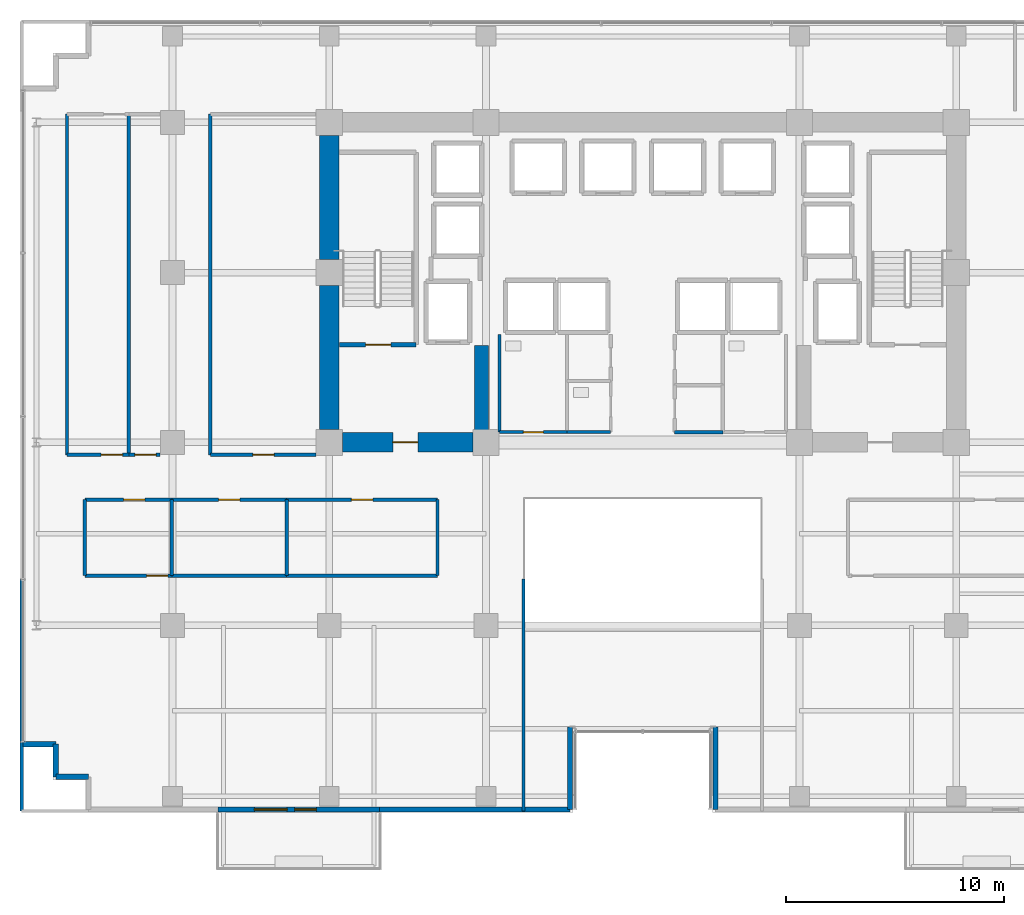
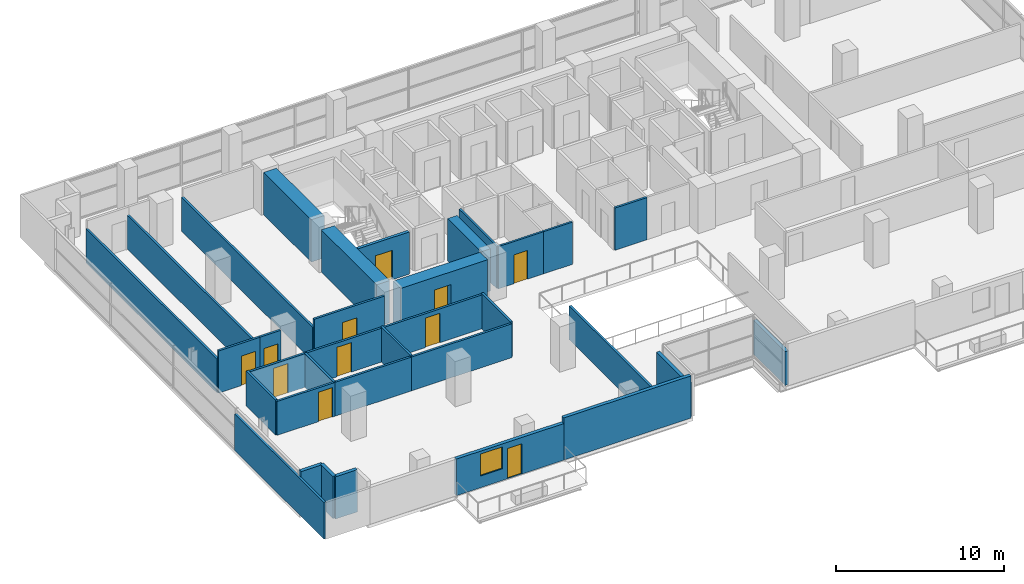
# One storey, part 19 of 26: 34 walls, 11 doors, 1 window, 12 openings.
"""IFC4 building model written with IfcOpenShell, lengths in metres."""

from ifc_helpers import new_model, si_unit, direction, frame, frame_2d, origin, place, context, subcontext, project, spatial, rectangle, extrude, source, transform, mapped, material, layer, layer_set, type_object, element, fill, save


model = new_model("IFC4")

# Units and contexts
model_context = context("Model", 3, precision=1e-05, world=origin(), true_north=direction((0.0, 1.0)))
body_context = subcontext(model_context, "Body", "Model", "MODEL_VIEW")
ifc_project = project(units=[si_unit("LENGTHUNIT", "METRE"), si_unit("AREAUNIT", "SQUARE_METRE"), si_unit("VOLUMEUNIT", "CUBIC_METRE"), si_unit("PLANEANGLEUNIT", "RADIAN"), si_unit("MASSUNIT", "GRAM", prefix="KILO")], contexts=[model_context])

# Site, building, storey
site_placement = place(None, origin())
site = spatial("IfcSite", under=ifc_project, at=site_placement, CompositionType="ELEMENT")
building_placement = place(site_placement, origin())
building = spatial("IfcBuilding", under=site, at=building_placement, Name="Zarnakvel Exchange Tower", CompositionType="ELEMENT")
storey_placement = place(building_placement, frame((0.0, 0.0, 63.699951171875)))
storey = spatial("IfcBuildingStorey", under=building, at=storey_placement, Name="L17", CompositionType="ELEMENT", Elevation=63.699951171875)

# Walls
ifc_material_1 = material(Name="Concrete C80/95", Category="concrete")
ifc_layer_1 = layer(ifc_material_1, 0.89990234375)
ifc_layer_set_1 = layer_set([ifc_layer_1], Name="Concrete C80/95")
wall_type_1 = type_object("IfcWallType", Name="CW-C1", PredefinedType="SHEAR", material=ifc_layer_set_1)
wall_1_placement = place(storey_placement, frame((-14.39990234375, -0.60009765625, 0.0), z_axis=(0.0, 0.0, 1.0), x_axis=(0.0, 1.0, 0.0)))
element("IfcWall", 1, at=wall_1_placement, inside=storey, type_object=wall_type_1, Name="L17 Rear Core Shear Wall W1 (CW-C1)", PredefinedType="SHEAR", context=body_context, shape_type="SweptSolid", body=[
    extrude(rectangle(XDim=6.60009765625, YDim=0.89990234375, at=frame_2d((3.300048828125, 0.0))), origin(), (0.0, 0.0, 1.0), 3.074951171875),
])
wall_2_placement = place(storey_placement, frame((-14.39990234375, 7.199951171875, 0.0), z_axis=(0.0, 0.0, 1.0), x_axis=(0.0, 1.0, 0.0)))
element("IfcWall", 2, at=wall_2_placement, inside=storey, type_object=wall_type_1, Name="L17 Rear Core Shear Wall W2 (CW-C1)", PredefinedType="SHEAR", context=body_context, shape_type="SweptSolid", body=[
    extrude(rectangle(XDim=5.699951171875, YDim=0.89990234375, at=frame_2d((2.85009765625, 0.0))), origin(), (0.0, 0.0, 1.0), 3.074951171875),
])

# Wall, opening, door
wall_3_placement = place(storey_placement, frame((-7.800048828125, -1.199951171875, 0.0), z_axis=(0.0, 0.0, 1.0), x_axis=(-1.0, 0.0, 0.0)))
wall_3 = element("IfcWall", 3, at=wall_3_placement, inside=storey, type_object=wall_type_1, Name="L17 Rear Core Shear Wall SW (CW-C1)", PredefinedType="SHEAR", context=body_context, shape_type="SweptSolid", body=[
    extrude(rectangle(XDim=6.0, YDim=0.89990234375, at=frame_2d((3.0, 0.0))), origin(), (0.0, 0.0, 1.0), 3.074951171875),
])
opening_1_placement = place(wall_3_placement, frame((2.52490234375, 0.0, 0.0)))
opening_1 = element("IfcOpeningElement", 4, at=opening_1_placement, cuts=wall_3, Name="Opening D-L17-03", PredefinedType="OPENING", context=body_context, shape_type="SweptSolid", body=[
    extrude(rectangle(XDim=1.14990234375, YDim=2.14990234375, at=frame_2d((0.574951171875, 1.074951171875))), frame((0.0, 0.4599609375, 0.0), z_axis=(0.0, -1.0, 0.0), x_axis=(1.0, 0.0, 0.0)), (0.0, 0.0, 1.0), 0.919921875),
])
ifc_material_2 = material(Name="Painted Galvanised Steel S355", Category="steel")
door_type_1 = type_object("IfcDoorType", Name="DT-04", OperationType="NOTDEFINED", PredefinedType="DOOR", material=ifc_material_2)
shared_shape_1 = source(origin(), body_context, "Body", "SweptSolid", [
    extrude(rectangle(XDim=1.14990234375, YDim=2.14990234375, at=frame_2d((0.574951171875, 1.074951171875))), frame((0.0, 0.02490234375, 0.0), z_axis=(0.0, -1.0, 0.0), x_axis=(1.0, 0.0, 0.0)), (0.0, 0.0, 1.0), 0.050048828125),
])
door_1_placement = place(opening_1_placement, origin())
door_1 = element("IfcDoor", 5, at=door_1_placement, inside=storey, type_object=door_type_1, Name="L17 Firefighting Lobby West Door D-L17-03", OperationType="SINGLE_SWING_LEFT", OverallHeight=2.14990234375, OverallWidth=1.14990234375, PredefinedType="DOOR", context=body_context, shape_type="MappedRepresentation", body=[
    mapped(shared_shape_1, transform((0.0, 0.0, 0.0), x_axis=(1.0, 0.0, 0.0), y_axis=(0.0, 1.0, 0.0), z_axis=(0.0, 0.0, 1.0), scale=1.0)),
])
fill(opening_1, door_1)

# Wall
ifc_layer_2 = layer(ifc_material_1, 0.64990234375)
ifc_layer_set_2 = layer_set([ifc_layer_2], Name="Concrete C80/95")
wall_type_2 = type_object("IfcWallType", Name="CW-C2", PredefinedType="SHEAR", material=ifc_layer_set_2)
wall_4_placement = place(storey_placement, frame((-7.39990234375, -0.75, 0.0), z_axis=(0.0, 0.0, 1.0), x_axis=(0.0, 1.0, 0.0)))
element("IfcWall", 6, at=wall_4_placement, inside=storey, type_object=wall_type_2, Name="L17 Rear Core Shear Wall IW (CW-C2)", PredefinedType="SHEAR", context=body_context, shape_type="SweptSolid", body=[
    extrude(rectangle(XDim=4.0, YDim=0.64990234375, at=frame_2d((2.0, 0.0))), origin(), (0.0, 0.0, 1.0), 3.074951171875),
])

# Wall, openings, door, window
ifc_material_3 = material(Name="Precast concrete C40/50", Category="concrete")
ifc_layer_3 = layer(ifc_material_3, 0.239990234375)
ifc_layer_set_3 = layer_set([ifc_layer_3], Name="Precast concrete C40/50")
wall_type_3 = type_object("IfcWallType", Name="EW-02", PredefinedType="SOLIDWALL", material=ifc_layer_set_3)
wall_5_placement = place(storey_placement, frame((-12.10009765625, -18.06005859375, 0.0), z_axis=(0.0, 0.0, 1.0), x_axis=(-1.0, 0.0, 0.0)))
wall_5 = element("IfcWall", 7, at=wall_5_placement, inside=storey, type_object=wall_type_3, Name="L17 Exterior Precast Spandrel Wall EW-BAL-L17-SW (EW-02)", PredefinedType="SOLIDWALL", context=body_context, shape_type="SweptSolid", body=[
    extrude(rectangle(XDim=7.39990234375, YDim=0.239990234375, at=frame_2d((3.699951171875, 0.0))), origin(), (0.0, 0.0, 1.0), 2.6650390625),
])
opening_2_placement = place(wall_5_placement, frame((2.885986328125, 0.0, 0.0)))
opening_2 = element("IfcOpeningElement", 8, at=opening_2_placement, cuts=wall_5, Name="Opening BD-L17-01", PredefinedType="OPENING", context=body_context, shape_type="SweptSolid", body=[
    extrude(rectangle(XDim=1.0, YDim=2.199951171875, at=frame_2d((0.5, 1.10009765625))), frame((0.0, 0.1298828125, 0.0), z_axis=(0.0, -1.0, 0.0), x_axis=(1.0, 0.0, 0.0)), (0.0, 0.0, 1.0), 0.260009765625),
])
opening_3_placement = place(wall_5_placement, frame((4.236083984375, 0.0, 0.85009765625)))
opening_3 = element("IfcOpeningElement", 9, at=opening_3_placement, cuts=wall_5, Name="Opening WN-03", PredefinedType="OPENING", context=body_context, shape_type="SweptSolid", body=[
    extrude(rectangle(XDim=1.5, YDim=1.60009765625, at=frame_2d((0.75, 0.800048828125))), frame((0.0, 0.1298828125, 0.0), z_axis=(0.0, -1.0, 0.0), x_axis=(1.0, 0.0, 0.0)), (0.0, 0.0, 1.0), 0.260009765625),
])
ifc_material_4 = material(Name="Architectural Bronze Anodised Aluminium", Category="aluminium")
door_type_2 = type_object("IfcDoorType", Name="DT-09", OperationType="NOTDEFINED", PredefinedType="DOOR", material=ifc_material_4)
shared_shape_2 = source(origin(), body_context, "Body", "SweptSolid", [
    extrude(rectangle(XDim=1.0, YDim=2.199951171875, at=frame_2d((0.5, 1.10009765625))), frame((0.0, 0.02490234375, 0.0), z_axis=(0.0, -1.0, 0.0), x_axis=(1.0, 0.0, 0.0)), (0.0, 0.0, 1.0), 0.050048828125),
])
door_2_placement = place(opening_2_placement, origin())
door_2 = element("IfcDoor", 10, at=door_2_placement, inside=storey, type_object=door_type_2, Name="L17 Planted Loggia Balcony Door BD-L17-01", OperationType="SINGLE_SWING_LEFT", OverallHeight=2.199951171875, OverallWidth=1.0, PredefinedType="DOOR", context=body_context, shape_type="MappedRepresentation", body=[
    mapped(shared_shape_2, transform((0.0, 0.0, 0.0), x_axis=(1.0, 0.0, 0.0), y_axis=(0.0, 1.0, 0.0), z_axis=(0.0, 0.0, 1.0), scale=1.0)),
])
fill(opening_2, door_2)
ifc_material_5 = material(Name="Double Low-E Laminated Vision Glass", Category="glass")
window_type = type_object("IfcWindowType", Name="WN-03", PartitioningType="SINGLE_PANEL", PredefinedType="WINDOW", material=ifc_material_5)
shared_shape_3 = source(origin(), body_context, "Body", "SweptSolid", [
    extrude(rectangle(XDim=1.5, YDim=1.60009765625, at=frame_2d((0.75, 0.800048828125))), frame((0.0, 0.030029296875, 0.0), z_axis=(0.0, -1.0, 0.0), x_axis=(1.0, 0.0, 0.0)), (0.0, 0.0, 1.0), 0.06005859375),
])
window_placement = place(opening_3_placement, origin())
window = element("IfcWindow", 11, at=window_placement, inside=storey, type_object=window_type, Name="L17 Loggia Daylight Window (WN-03)", OverallHeight=1.60009765625, OverallWidth=1.5, PartitioningType="SINGLE_PANEL", PredefinedType="WINDOW", context=body_context, shape_type="MappedRepresentation", body=[
    mapped(shared_shape_3, transform((0.0, 0.0, 0.0), x_axis=(1.0, 0.0, 0.0), y_axis=(0.0, 1.0, 0.0), z_axis=(0.0, 0.0, 1.0), scale=1.0)),
])
fill(opening_3, window)

# Walls
for number, where, z_axis, x_axis, name in (
    (12, (3.340087890625, -14.260009765625, 0.0), (0.0, 0.0, 1.0), (0.0, -1.0, 0.0), "L17 Exterior Precast Spandrel Wall EWC-L17-17 (EW-02)"),
    (13, (-3.340087890625, -18.06005859375, 0.0), (0.0, 0.0, 1.0), (0.0, 1.0, 0.0), "L17 Exterior Precast Spandrel Wall EWC-L17-20 (EW-02)"),
):
    element("IfcWall", number, at=place(storey_placement, frame(where, z_axis=z_axis, x_axis=x_axis)), inside=storey, type_object=wall_type_3, Name=name, PredefinedType="SOLIDWALL", context=body_context, shape_type="SweptSolid", body=[
        extrude(rectangle(XDim=3.800048828125, YDim=0.239990234375, at=frame_2d((1.89990234375, 0.0))), origin(), (0.0, 0.0, 1.0), 2.465087890625),
    ])
wall_6_placement = place(storey_placement, frame((-12.10009765625, -18.06005859375, 0.0), z_axis=(0.0, 0.0, 1.0), x_axis=(1.0, 0.0, 0.0)))
element("IfcWall", 14, at=wall_6_placement, inside=storey, type_object=wall_type_3, Name="L17 Exterior Precast Spandrel Wall EWC-L17-21 (EW-02)", PredefinedType="SOLIDWALL", context=body_context, shape_type="SweptSolid", body=[
    extrude(rectangle(XDim=8.760009765625, YDim=0.239990234375, at=frame_2d((4.3798828125, 0.0))), origin(), (0.0, 0.0, 1.0), 3.074951171875),
])
for number, where, z_axis, x_axis, name in (
    (15, (-26.9599609375, -16.56005859375, 0.0), (0.0, 0.0, 1.0), (1.0, 0.0, 0.0), "L17 Exterior Precast Spandrel Wall EWC-L17-24 (EW-02)"),
    (16, (-26.9599609375, -15.06005859375, 0.0), (0.0, 0.0, 1.0), (0.0, -1.0, 0.0), "L17 Exterior Precast Spandrel Wall EWC-L17-25 (EW-02)"),
    (17, (-28.4599609375, -15.06005859375, 0.0), (0.0, 0.0, 1.0), (1.0, 0.0, 0.0), "L17 Exterior Precast Spandrel Wall EWC-L17-26 (EW-02)"),
):
    element("IfcWall", number, at=place(storey_placement, frame(where, z_axis=z_axis, x_axis=x_axis)), inside=storey, type_object=wall_type_3, Name=name, PredefinedType="SOLIDWALL", context=body_context, shape_type="SweptSolid", body=[
        extrude(rectangle(XDim=1.5, YDim=0.239990234375, at=frame_2d((0.75, 0.0))), origin(), (0.0, 0.0, 1.0), 3.074951171875),
    ])
ifc_material_6 = material(Name="Fire-Rated Gypsum Stud Partition", Category="gypsum")
ifc_layer_4 = layer(ifc_material_6, 0.14990234375)
ifc_layer_set_4 = layer_set([ifc_layer_4], Name="Fire-Rated Gypsum Stud Partition")
wall_type_4 = type_object("IfcWallType", Name="PT-01", PredefinedType="PARTITIONING", material=ifc_layer_set_4)
wall_7_placement = place(storey_placement, frame((3.679931640625, -0.72998046875, 0.0), z_axis=(0.0, 0.0, 1.0), x_axis=(-1.0, 0.0, 0.0)))
element("IfcWall", 18, at=wall_7_placement, inside=storey, type_object=wall_type_4, Name="L17 Partition Wall PWALL-L17-018 (PT-01)", PredefinedType="PARTITIONING", context=body_context, shape_type="SweptSolid", body=[
    extrude(rectangle(XDim=2.2099609375, YDim=0.14990234375, at=frame_2d((1.10498046875, 0.0))), origin(), (0.0, 0.0, 1.0), 3.074951171875),
])

# Wall, opening, door
wall_8_placement = place(storey_placement, frame((-21.630126953125, -7.320068359375, 0.0), z_axis=(0.0, 0.0, 1.0), x_axis=(-1.0, 0.0, 0.0)))
wall_8 = element("IfcWall", 19, at=wall_8_placement, inside=storey, type_object=wall_type_4, Name="L17 Partition Wall PWALL-L17-026 (PT-01)", PredefinedType="PARTITIONING", context=body_context, shape_type="SweptSolid", body=[
    extrude(rectangle(XDim=3.998291015625, YDim=0.14990234375, at=frame_2d((1.9990234375, 0.0))), origin(), (0.0, 0.0, 1.0), 2.465087890625),
])
opening_4_placement = place(wall_8_placement, frame((0.179931640625, 0.0, 0.0)))
opening_4 = element("IfcOpeningElement", 20, at=opening_4_placement, cuts=wall_8, Name="Opening D-L17-14", PredefinedType="OPENING", context=body_context, shape_type="SweptSolid", body=[
    extrude(rectangle(XDim=0.97998046875, YDim=2.14990234375, at=frame_2d((0.489990234375, 1.074951171875))), frame((0.0, 0.0849609375, 0.0), z_axis=(0.0, -1.0, 0.0), x_axis=(1.0, 0.0, 0.0)), (0.0, 0.0, 1.0), 0.169921875),
])
ifc_material_7 = material(Name="Timber Acoustic Veneer", Category="wood")
door_type_3 = type_object("IfcDoorType", Name="DT-05", OperationType="NOTDEFINED", PredefinedType="DOOR", material=ifc_material_7)
shared_shape_4 = source(origin(), body_context, "Body", "SweptSolid", [
    extrude(rectangle(XDim=0.97998046875, YDim=2.14990234375, at=frame_2d((0.489990234375, 1.074951171875))), frame((0.0, 0.02490234375, 0.0), z_axis=(0.0, -1.0, 0.0), x_axis=(1.0, 0.0, 0.0)), (0.0, 0.0, 1.0), 0.050048828125),
])
door_3_placement = place(opening_4_placement, origin())
door_3 = element("IfcDoor", 21, at=door_3_placement, inside=storey, type_object=door_type_3, Name="L17 Equities Trading Floor Door D-L17-14", OperationType="SINGLE_SWING_RIGHT", OverallHeight=2.14990234375, OverallWidth=0.97998046875, PredefinedType="DOOR", context=body_context, shape_type="MappedRepresentation", body=[
    mapped(shared_shape_4, transform((0.0, 0.0, 0.0), x_axis=(1.0, 0.0, 0.0), y_axis=(0.0, 1.0, 0.0), z_axis=(0.0, 0.0, 1.0), scale=1.0)),
])
fill(opening_4, door_3)

wall_9_placement = place(storey_placement, frame((-25.62841796875, -3.830078125, 0.0), z_axis=(0.0, 0.0, 1.0), x_axis=(1.0, 0.0, 0.0)))
wall_9 = element("IfcWall", 22, at=wall_9_placement, inside=storey, type_object=wall_type_4, Name="L17 Partition Wall PWALL-L17-027 (PT-01)", PredefinedType="PARTITIONING", context=body_context, shape_type="SweptSolid", body=[
    extrude(rectangle(XDim=3.998291015625, YDim=0.14990234375, at=frame_2d((1.9990234375, 0.0))), origin(), (0.0, 0.0, 1.0), 2.465087890625),
])
opening_5_placement = place(wall_9_placement, frame((1.783447265625, 0.0, 0.0)))
opening_5 = element("IfcOpeningElement", 23, at=opening_5_placement, cuts=wall_9, Name="Opening D-L17-11", PredefinedType="OPENING", context=body_context, shape_type="SweptSolid", body=[
    extrude(rectangle(XDim=0.97998046875, YDim=2.14990234375, at=frame_2d((0.489990234375, 1.074951171875))), frame((0.0, 0.0849609375, 0.0), z_axis=(0.0, -1.0, 0.0), x_axis=(1.0, 0.0, 0.0)), (0.0, 0.0, 1.0), 0.169921875),
])
door_4_placement = place(opening_5_placement, origin())
door_4 = element("IfcDoor", 24, at=door_4_placement, inside=storey, type_object=door_type_3, Name="L17 Asset Management Office Door D-L17-11", OperationType="SINGLE_SWING_LEFT", OverallHeight=2.14990234375, OverallWidth=0.97998046875, PredefinedType="DOOR", context=body_context, shape_type="MappedRepresentation", body=[
    mapped(shared_shape_4, transform((0.0, 0.0, 0.0), x_axis=(1.0, 0.0, 0.0), y_axis=(0.0, 1.0, 0.0), z_axis=(0.0, 0.0, 1.0), scale=1.0)),
])
fill(opening_5, door_4)

# Walls
wall_10_placement = place(storey_placement, frame((-25.62841796875, -7.320068359375, 0.0), z_axis=(0.0, 0.0, 1.0), x_axis=(0.0, 1.0, 0.0)))
element("IfcWall", 25, at=wall_10_placement, inside=storey, type_object=wall_type_4, Name="L17 Partition Wall PWALL-L17-028 (PT-01)", PredefinedType="PARTITIONING", context=body_context, shape_type="SweptSolid", body=[
    extrude(rectangle(XDim=3.489990234375, YDim=0.14990234375, at=frame_2d((1.7451171875, 0.0))), origin(), (0.0, 0.0, 1.0), 2.56494140625),
])
wall_11_placement = place(storey_placement, frame((-21.630126953125, -3.830078125, 0.0), z_axis=(0.0, 0.0, 1.0), x_axis=(0.0, -1.0, 0.0)))
element("IfcWall", 26, at=wall_11_placement, inside=storey, type_object=wall_type_4, Name="L17 Partition Wall PWALL-L17-029 (PT-01)", PredefinedType="PARTITIONING", context=body_context, shape_type="SweptSolid", body=[
    extrude(rectangle(XDim=3.489990234375, YDim=0.14990234375, at=frame_2d((1.7451171875, 0.0))), origin(), (0.0, 0.0, 1.0), 2.465087890625),
])
wall_12_placement = place(storey_placement, frame((-16.3525390625, -7.320068359375, 0.0), z_axis=(0.0, 0.0, 1.0), x_axis=(-1.0, 0.0, 0.0)))
element("IfcWall", 27, at=wall_12_placement, inside=storey, type_object=wall_type_4, Name="L17 Partition Wall PWALL-L17-030 (PT-01)", PredefinedType="PARTITIONING", context=body_context, shape_type="SweptSolid", body=[
    extrude(rectangle(XDim=5.277587890625, YDim=0.14990234375, at=frame_2d((2.638671875, 0.0))), origin(), (0.0, 0.0, 1.0), 2.465087890625),
])

# Wall, opening, door
wall_13_placement = place(storey_placement, frame((-21.630126953125, -3.830078125, 0.0), z_axis=(0.0, 0.0, 1.0), x_axis=(1.0, 0.0, 0.0)))
wall_13 = element("IfcWall", 28, at=wall_13_placement, inside=storey, type_object=wall_type_4, Name="L17 Partition Wall PWALL-L17-031 (PT-01)", PredefinedType="PARTITIONING", context=body_context, shape_type="SweptSolid", body=[
    extrude(rectangle(XDim=5.277587890625, YDim=0.14990234375, at=frame_2d((2.638671875, 0.0))), origin(), (0.0, 0.0, 1.0), 2.465087890625),
])
opening_6_placement = place(wall_13_placement, frame((2.149169921875, 0.0, 0.0)))
opening_6 = element("IfcOpeningElement", 29, at=opening_6_placement, cuts=wall_13, Name="Opening D-L17-12", PredefinedType="OPENING", context=body_context, shape_type="SweptSolid", body=[
    extrude(rectangle(XDim=0.97998046875, YDim=2.14990234375, at=frame_2d((0.489990234375, 1.074951171875))), frame((0.0, 0.0849609375, 0.0), z_axis=(0.0, -1.0, 0.0), x_axis=(1.0, 0.0, 0.0)), (0.0, 0.0, 1.0), 0.169921875),
])
door_5_placement = place(opening_6_placement, origin())
door_5 = element("IfcDoor", 30, at=door_5_placement, inside=storey, type_object=door_type_3, Name="L17 Meeting Room Door D-L17-12", OperationType="SINGLE_SWING_RIGHT", OverallHeight=2.14990234375, OverallWidth=0.97998046875, PredefinedType="DOOR", context=body_context, shape_type="MappedRepresentation", body=[
    mapped(shared_shape_4, transform((0.0, 0.0, 0.0), x_axis=(1.0, 0.0, 0.0), y_axis=(0.0, 1.0, 0.0), z_axis=(0.0, 0.0, 1.0), scale=1.0)),
])
fill(opening_6, door_5)

# Walls
wall_14_placement = place(storey_placement, frame((-16.3525390625, -3.830078125, 0.0), z_axis=(0.0, 0.0, 1.0), x_axis=(0.0, -1.0, 0.0)))
element("IfcWall", 31, at=wall_14_placement, inside=storey, type_object=wall_type_4, Name="L17 Partition Wall PWALL-L17-032 (PT-01)", PredefinedType="PARTITIONING", context=body_context, shape_type="SweptSolid", body=[
    extrude(rectangle(XDim=3.489990234375, YDim=0.14990234375, at=frame_2d((1.7451171875, 0.0))), origin(), (0.0, 0.0, 1.0), 2.56494140625),
])
wall_15_placement = place(storey_placement, frame((-9.429931640625, -7.320068359375, 0.0), z_axis=(0.0, 0.0, 1.0), x_axis=(-1.0, 0.0, 0.0)))
element("IfcWall", 32, at=wall_15_placement, inside=storey, type_object=wall_type_4, Name="L17 Partition Wall PWALL-L17-033 (PT-01)", PredefinedType="PARTITIONING", context=body_context, shape_type="SweptSolid", body=[
    extrude(rectangle(XDim=6.922607421875, YDim=0.14990234375, at=frame_2d((3.46142578125, 0.0))), origin(), (0.0, 0.0, 1.0), 2.465087890625),
])

# Wall, opening, door
wall_16_placement = place(storey_placement, frame((-16.3525390625, -3.830078125, 0.0), z_axis=(0.0, 0.0, 1.0), x_axis=(1.0, 0.0, 0.0)))
wall_16 = element("IfcWall", 33, at=wall_16_placement, inside=storey, type_object=wall_type_4, Name="L17 Partition Wall PWALL-L17-034 (PT-01)", PredefinedType="PARTITIONING", context=body_context, shape_type="SweptSolid", body=[
    extrude(rectangle(XDim=6.922607421875, YDim=0.14990234375, at=frame_2d((3.46142578125, 0.0))), origin(), (0.0, 0.0, 1.0), 2.465087890625),
])
opening_7_placement = place(wall_16_placement, frame((2.9716796875, 0.0, 0.0)))
opening_7 = element("IfcOpeningElement", 34, at=opening_7_placement, cuts=wall_16, Name="Opening D-L17-13", PredefinedType="OPENING", context=body_context, shape_type="SweptSolid", body=[
    extrude(rectangle(XDim=0.97998046875, YDim=2.14990234375, at=frame_2d((0.489990234375, 1.074951171875))), frame((0.0, 0.0849609375, 0.0), z_axis=(0.0, -1.0, 0.0), x_axis=(1.0, 0.0, 0.0)), (0.0, 0.0, 1.0), 0.169921875),
])
door_6_placement = place(opening_7_placement, origin())
door_6 = element("IfcDoor", 35, at=door_6_placement, inside=storey, type_object=door_type_3, Name="L17 Executive Office Door D-L17-13", OperationType="SINGLE_SWING_LEFT", OverallHeight=2.14990234375, OverallWidth=0.97998046875, PredefinedType="DOOR", context=body_context, shape_type="MappedRepresentation", body=[
    mapped(shared_shape_4, transform((0.0, 0.0, 0.0), x_axis=(1.0, 0.0, 0.0), y_axis=(0.0, 1.0, 0.0), z_axis=(0.0, 0.0, 1.0), scale=1.0)),
])
fill(opening_7, door_6)

# Walls
wall_17_placement = place(storey_placement, frame((-9.429931640625, -3.830078125, 0.0), z_axis=(0.0, 0.0, 1.0), x_axis=(0.0, -1.0, 0.0)))
element("IfcWall", 36, at=wall_17_placement, inside=storey, type_object=wall_type_4, Name="L17 Partition Wall PWALL-L17-035 (PT-01)", PredefinedType="PARTITIONING", context=body_context, shape_type="SweptSolid", body=[
    extrude(rectangle(XDim=3.489990234375, YDim=0.14990234375, at=frame_2d((1.7451171875, 0.0))), origin(), (0.0, 0.0, 1.0), 2.56494140625),
])
wall_18_placement = place(storey_placement, frame((-28.530029296875, -18.1298828125, 0.0), z_axis=(0.0, 0.0, 1.0), x_axis=(0.0, 1.0, 0.0)))
element("IfcWall", 37, at=wall_18_placement, inside=storey, type_object=wall_type_4, Name="L17 Partition Wall PWALL-L17-037 (PT-01)", PredefinedType="PARTITIONING", context=body_context, shape_type="SweptSolid", body=[
    extrude(rectangle(XDim=10.64990234375, YDim=0.14990234375, at=frame_2d((5.324951171875, 0.0))), origin(), (0.0, 0.0, 1.0), 2.6650390625),
])
wall_19_placement = place(storey_placement, frame((-5.47998046875, -7.47998046875, 0.0), z_axis=(0.0, 0.0, 1.0), x_axis=(0.0, -1.0, 0.0)))
element("IfcWall", 38, at=wall_19_placement, inside=storey, type_object=wall_type_4, Name="L17 Partition Wall PWALL-L17-038 (PT-01)", PredefinedType="PARTITIONING", context=body_context, shape_type="SweptSolid", body=[
    extrude(rectangle(XDim=10.64990234375, YDim=0.14990234375, at=frame_2d((5.324951171875, 0.0))), origin(), (0.0, 0.0, 1.0), 2.465087890625),
])

# Wall, opening, door
wall_20_placement = place(storey_placement, frame((-23.60498046875, -1.77001953125, 0.0), z_axis=(0.0, 0.0, 1.0), x_axis=(-1.0, 0.0, 0.0)))
wall_20 = element("IfcWall", 39, at=wall_20_placement, inside=storey, type_object=wall_type_4, Name="L17 Partition Wall PWALL-L17-049 (PT-01)", PredefinedType="PARTITIONING", context=body_context, shape_type="SweptSolid", body=[
    extrude(rectangle(XDim=2.84619140625, YDim=0.14990234375, at=frame_2d((1.423095703125, 0.0))), origin(), (0.0, 0.0, 1.0), 3.074951171875),
])
opening_8_placement = place(wall_20_placement, frame((0.2900390625, 0.0, 0.0)))
opening_8 = element("IfcOpeningElement", 40, at=opening_8_placement, cuts=wall_20, Name="Opening D-L17-18", PredefinedType="OPENING", context=body_context, shape_type="SweptSolid", body=[
    extrude(rectangle(XDim=0.97998046875, YDim=2.14990234375, at=frame_2d((0.489990234375, 1.074951171875))), frame((0.0, 0.0849609375, 0.0), z_axis=(0.0, -1.0, 0.0), x_axis=(1.0, 0.0, 0.0)), (0.0, 0.0, 1.0), 0.169921875),
])
door_7_placement = place(opening_8_placement, origin())
door_7 = element("IfcDoor", 41, at=door_7_placement, inside=storey, type_object=door_type_3, Name="L17 Staff Pantry Door D-L17-18", OperationType="SINGLE_SWING_RIGHT", OverallHeight=2.14990234375, OverallWidth=0.97998046875, PredefinedType="DOOR", context=body_context, shape_type="MappedRepresentation", body=[
    mapped(shared_shape_4, transform((0.0, 0.0, 0.0), x_axis=(1.0, 0.0, 0.0), y_axis=(0.0, 1.0, 0.0), z_axis=(0.0, 0.0, 1.0), scale=1.0)),
])
fill(opening_8, door_7)

# Walls
for number, where, z_axis, x_axis, name in (
    (42, (-26.451171875, -1.77001953125, 0.0), (0.0, 0.0, 1.0), (0.0, 1.0, 0.0), "L17 Partition Wall PWALL-L17-051 (PT-01)"),
    (43, (-23.60498046875, 13.8798828125, 0.0), (0.0, 0.0, 1.0), (0.0, -1.0, 0.0), "L17 Partition Wall PWALL-L17-052 (PT-01)"),
):
    element("IfcWall", number, at=place(storey_placement, frame(where, z_axis=z_axis, x_axis=x_axis)), inside=storey, type_object=wall_type_4, Name=name, PredefinedType="PARTITIONING", context=body_context, shape_type="SweptSolid", body=[
        extrude(rectangle(XDim=15.64990234375, YDim=0.14990234375, at=frame_2d((7.824951171875, 0.0))), origin(), (0.0, 0.0, 1.0), 2.465087890625),
    ])

# Wall, opening, door
wall_21_placement = place(storey_placement, frame((-22.169921875, -1.77001953125, 0.0), z_axis=(0.0, 0.0, 1.0), x_axis=(-1.0, 0.0, 0.0)))
wall_21 = element("IfcWall", 44, at=wall_21_placement, inside=storey, type_object=wall_type_4, Name="L17 Partition Wall PWALL-L17-053 (PT-01)", PredefinedType="PARTITIONING", context=body_context, shape_type="SweptSolid", body=[
    extrude(rectangle(XDim=1.43505859375, YDim=0.14990234375, at=frame_2d((0.717529296875, 0.0))), origin(), (0.0, 0.0, 1.0), 3.074951171875),
])
opening_9_placement = place(wall_21_placement, frame((0.179931640625, 0.0, 0.0)))
opening_9 = element("IfcOpeningElement", 45, at=opening_9_placement, cuts=wall_21, Name="Opening D-L17-19", PredefinedType="OPENING", context=body_context, shape_type="SweptSolid", body=[
    extrude(rectangle(XDim=0.97998046875, YDim=2.14990234375, at=frame_2d((0.489990234375, 1.074951171875))), frame((0.0, 0.0849609375, 0.0), z_axis=(0.0, -1.0, 0.0), x_axis=(1.0, 0.0, 0.0)), (0.0, 0.0, 1.0), 0.169921875),
])
door_8_placement = place(opening_9_placement, origin())
door_8 = element("IfcDoor", 46, at=door_8_placement, inside=storey, type_object=door_type_3, Name="L17 Risk Analytics Suite Door D-L17-19", OperationType="SINGLE_SWING_LEFT", OverallHeight=2.14990234375, OverallWidth=0.97998046875, PredefinedType="DOOR", context=body_context, shape_type="MappedRepresentation", body=[
    mapped(shared_shape_4, transform((0.0, 0.0, 0.0), x_axis=(1.0, 0.0, 0.0), y_axis=(0.0, 1.0, 0.0), z_axis=(0.0, 0.0, 1.0), scale=1.0)),
])
fill(opening_9, door_8)

# Wall
wall_22_placement = place(storey_placement, frame((-19.863037109375, 13.8798828125, 0.0), z_axis=(0.0, 0.0, 1.0), x_axis=(0.0, -1.0, 0.0)))
element("IfcWall", 47, at=wall_22_placement, inside=storey, type_object=wall_type_4, Name="L17 Partition Wall PWALL-L17-055 (PT-01)", PredefinedType="PARTITIONING", context=body_context, shape_type="SweptSolid", body=[
    extrude(rectangle(XDim=15.64990234375, YDim=0.14990234375, at=frame_2d((7.824951171875, 0.0))), origin(), (0.0, 0.0, 1.0), 2.465087890625),
])

# Wall, opening, door
wall_23_placement = place(storey_placement, frame((-15.02001953125, -1.77001953125, 0.0), z_axis=(0.0, 0.0, 1.0), x_axis=(-1.0, 0.0, 0.0)))
wall_23 = element("IfcWall", 48, at=wall_23_placement, inside=storey, type_object=wall_type_4, Name="L17 Partition Wall PWALL-L17-056 (PT-01)", PredefinedType="PARTITIONING", context=body_context, shape_type="SweptSolid", body=[
    extrude(rectangle(XDim=4.843017578125, YDim=0.14990234375, at=frame_2d((2.42138671875, 0.0))), origin(), (0.0, 0.0, 1.0), 3.074951171875),
])
opening_10_placement = place(wall_23_placement, frame((1.906982421875, 0.0, 0.0)))
opening_10 = element("IfcOpeningElement", 49, at=opening_10_placement, cuts=wall_23, Name="Opening D-L17-20", PredefinedType="OPENING", context=body_context, shape_type="SweptSolid", body=[
    extrude(rectangle(XDim=0.97998046875, YDim=2.14990234375, at=frame_2d((0.489990234375, 1.074951171875))), frame((0.0, 0.0849609375, 0.0), z_axis=(0.0, -1.0, 0.0), x_axis=(1.0, 0.0, 0.0)), (0.0, 0.0, 1.0), 0.169921875),
])
door_9_placement = place(opening_10_placement, origin())
door_9 = element("IfcDoor", 50, at=door_9_placement, inside=storey, type_object=door_type_3, Name="L17 Members Lounge Door D-L17-20", OperationType="SINGLE_SWING_RIGHT", OverallHeight=2.14990234375, OverallWidth=0.97998046875, PredefinedType="DOOR", context=body_context, shape_type="MappedRepresentation", body=[
    mapped(shared_shape_4, transform((0.0, 0.0, 0.0), x_axis=(1.0, 0.0, 0.0), y_axis=(0.0, 1.0, 0.0), z_axis=(0.0, 0.0, 1.0), scale=1.0)),
])
fill(opening_10, door_9)

ifc_material_8 = material(Name="Moisture-Resistant Tile-Faced Partition", Category="gypsum")
ifc_layer_5 = layer(ifc_material_8, 0.135009765625)
ifc_layer_set_5 = layer_set([ifc_layer_5], Name="Moisture-Resistant Tile-Faced Partition")
wall_type_5 = type_object("IfcWallType", Name="PT-03", PredefinedType="PARTITIONING", material=ifc_layer_set_5)
wall_24_placement = place(storey_placement, frame((-3.469970703125, -0.72998046875, 0.0), z_axis=(0.0, 0.0, 1.0), x_axis=(-1.0, 0.0, 0.0)))
wall_24 = element("IfcWall", 51, at=wall_24_placement, inside=storey, type_object=wall_type_5, Name="L17 Partition Wall PWALL-L17-011 (PT-03)", PredefinedType="PARTITIONING", context=body_context, shape_type="SweptSolid", body=[
    extrude(rectangle(XDim=3.110107421875, YDim=0.135009765625, at=frame_2d((1.55517578125, 0.0))), origin(), (0.0, 0.0, 1.0), 3.074951171875),
])
opening_11_placement = place(wall_24_placement, frame((1.090087890625, 0.0, 0.0)))
opening_11 = element("IfcOpeningElement", 52, at=opening_11_placement, cuts=wall_24, Name="Opening D-L17-05", PredefinedType="OPENING", context=body_context, shape_type="SweptSolid", body=[
    extrude(rectangle(XDim=0.919921875, YDim=2.10009765625, at=frame_2d((0.4599609375, 1.050048828125))), frame((0.0, 0.077392578125, 0.0), z_axis=(0.0, -1.0, 0.0), x_axis=(1.0, 0.0, 0.0)), (0.0, 0.0, 1.0), 0.155029296875),
])
ifc_material_9 = material(Name="Moisture-Resistant Laminate Timber", Category="wood")
door_type_4 = type_object("IfcDoorType", Name="DT-07", OperationType="NOTDEFINED", PredefinedType="DOOR", material=ifc_material_9)
shared_shape_5 = source(origin(), body_context, "Body", "SweptSolid", [
    extrude(rectangle(XDim=0.919921875, YDim=2.10009765625, at=frame_2d((0.4599609375, 1.050048828125))), frame((0.0, 0.02490234375, 0.0), z_axis=(0.0, -1.0, 0.0), x_axis=(1.0, 0.0, 0.0)), (0.0, 0.0, 1.0), 0.050048828125),
])
door_10_placement = place(opening_11_placement, origin())
door_10 = element("IfcDoor", 53, at=door_10_placement, inside=storey, type_object=door_type_4, Name="L17 Male Toilet Door D-L17-05", OperationType="SINGLE_SWING_LEFT", OverallHeight=2.10009765625, OverallWidth=0.919921875, PredefinedType="DOOR", context=body_context, shape_type="MappedRepresentation", body=[
    mapped(shared_shape_5, transform((0.0, 0.0, 0.0), x_axis=(1.0, 0.0, 0.0), y_axis=(0.0, 1.0, 0.0), z_axis=(0.0, 0.0, 1.0), scale=1.0)),
])
fill(opening_11, door_10)

# Walls
wall_25_placement = place(storey_placement, frame((-6.580078125, -0.72998046875, 0.0), z_axis=(0.0, 0.0, 1.0), x_axis=(0.0, 1.0, 0.0)))
element("IfcWall", 54, at=wall_25_placement, inside=storey, type_object=wall_type_5, Name="L17 Partition Wall PWALL-L17-012 (PT-03)", PredefinedType="PARTITIONING", context=body_context, shape_type="SweptSolid", body=[
    extrude(rectangle(XDim=4.489990234375, YDim=0.135009765625, at=frame_2d((2.2451171875, 0.0))), origin(), (0.0, 0.0, 1.0), 3.074951171875),
])
wall_26_placement = place(storey_placement, frame((-1.469970703125, -0.72998046875, 0.0), z_axis=(0.0, 0.0, 1.0), x_axis=(-1.0, 0.0, 0.0)))
element("IfcWall", 55, at=wall_26_placement, inside=storey, type_object=wall_type_5, Name="L17 Partition Wall PWALL-L17-014 (PT-03)", PredefinedType="PARTITIONING", context=body_context, shape_type="SweptSolid", body=[
    extrude(rectangle(XDim=2.0, YDim=0.135009765625, at=frame_2d((1.0, 0.0))), origin(), (0.0, 0.0, 1.0), 3.074951171875),
])

# Wall, opening, door
ifc_material_10 = material(Name="Concrete C40/50", Category="concrete")
ifc_layer_6 = layer(ifc_material_10, 0.199951171875)
ifc_layer_set_6 = layer_set([ifc_layer_6], Name="Concrete C40/50")
wall_type_6 = type_object("IfcWallType", Name="SW-02", PredefinedType="SOLIDWALL", material=ifc_layer_set_6)
wall_27_placement = place(storey_placement, frame((-10.409912109375, 3.2900390625, 0.0), z_axis=(0.0, 0.0, 1.0), x_axis=(-1.0, 0.0, 0.0)))
wall_27 = element("IfcWall", 56, at=wall_27_placement, inside=storey, type_object=wall_type_6, Name="L17 Stairwell Core Wall PWALL-L17-001 (SW-02)", PredefinedType="SOLIDWALL", context=body_context, shape_type="SweptSolid", body=[
    extrude(rectangle(XDim=3.52001953125, YDim=0.199951171875, at=frame_2d((1.760009765625, 0.0))), origin(), (0.0, 0.0, 1.0), 3.074951171875),
])
opening_12_placement = place(wall_27_placement, frame((1.1650390625, 0.0, 0.0)))
opening_12 = element("IfcOpeningElement", 57, at=opening_12_placement, cuts=wall_27, Name="Opening D-L17-01", PredefinedType="OPENING", context=body_context, shape_type="SweptSolid", body=[
    extrude(rectangle(XDim=1.14990234375, YDim=2.14990234375, at=frame_2d((0.574951171875, 1.074951171875))), frame((0.0, 0.10986328125, 0.0), z_axis=(0.0, -1.0, 0.0), x_axis=(1.0, 0.0, 0.0)), (0.0, 0.0, 1.0), 0.219970703125),
])
door_11_placement = place(opening_12_placement, origin())
door_11 = element("IfcDoor", 58, at=door_11_placement, inside=storey, type_object=door_type_1, Name="L17 Stairwell ST-01 Door D-L17-01", OperationType="SINGLE_SWING_LEFT", OverallHeight=2.14990234375, OverallWidth=1.14990234375, PredefinedType="DOOR", context=body_context, shape_type="MappedRepresentation", body=[
    mapped(shared_shape_1, transform((0.0, 0.0, 0.0), x_axis=(1.0, 0.0, 0.0), y_axis=(0.0, 1.0, 0.0), z_axis=(0.0, 0.0, 1.0), scale=1.0)),
])
fill(opening_12, door_11)

save(model, "model.ifc")
